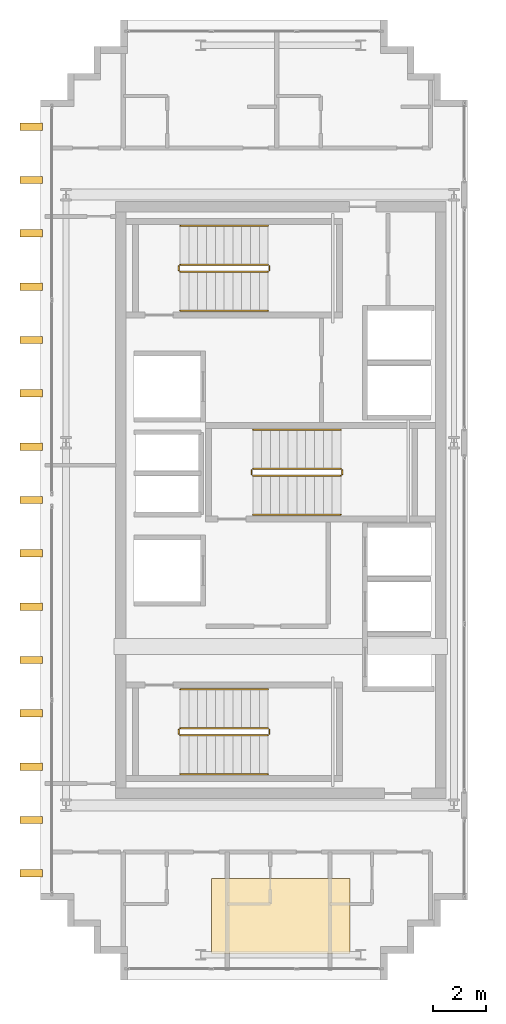
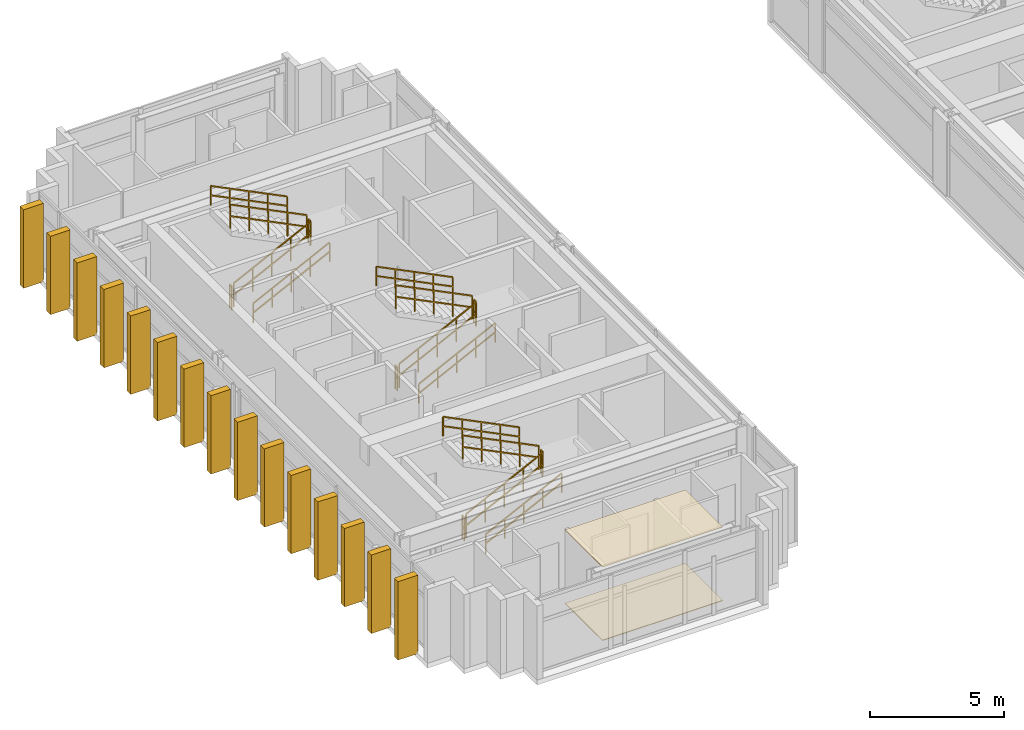
# One storey, part 24 of 25: 18 railings, 15 shading devices, 2 coverings.
"""IFC4 building model written with IfcOpenShell, lengths in metres."""

from ifc_helpers import new_model, si_unit, direction, frame, origin, origin_2d, place, context, subcontext, project, spatial, polyline, rectangle, outline, extrude, source, transform, mapped, material, layer, layer_set, type_object, element, save


model = new_model("IFC4")

# Units and contexts
model_context = context("Model", 3, precision=1e-05, world=origin(), true_north=direction((0.0, 1.0)))
body_context = subcontext(model_context, "Body", "Model", "MODEL_VIEW")
ifc_project = project(units=[si_unit("LENGTHUNIT", "METRE"), si_unit("AREAUNIT", "SQUARE_METRE"), si_unit("VOLUMEUNIT", "CUBIC_METRE"), si_unit("PLANEANGLEUNIT", "RADIAN"), si_unit("MASSUNIT", "GRAM", prefix="KILO")], contexts=[model_context])

# Site, building, storey
site_placement = place(None, origin())
site = spatial("IfcSite", under=ifc_project, at=site_placement, CompositionType="ELEMENT")
building_placement = place(site_placement, origin())
building = spatial("IfcBuilding", under=site, at=building_placement, Name="Ocotamira Hotel", CompositionType="ELEMENT")
storey_placement = place(building_placement, frame((0.0, 0.0, 254.39990234375)))
storey = spatial("IfcBuildingStorey", under=building, at=storey_placement, Name="L64", CompositionType="ELEMENT", Elevation=254.39990234375)

# Coverings
ifc_material_1 = material(Name="Perforated acoustic gypsum ceiling board", Category="gypsum")
ifc_layer_1 = layer(ifc_material_1, 0.02490234375)
ifc_layer_set_1 = layer_set([ifc_layer_1], Name="Perforated acoustic gypsum ceiling board")
covering_type_1 = type_object("IfcCoveringType", Name="COV-CEIL-25", PredefinedType="CEILING", material=ifc_layer_set_1)
covering_1_placement = place(storey_placement, frame((0.0, 0.0, 3.35498046875)))
element("IfcCovering", 1, at=covering_1_placement, inside=storey, type_object=covering_type_1, Name="L64 Acoustic Ceiling", PredefinedType="CEILING", context=body_context, shape_type="SweptSolid", body=[
    extrude(outline(polyline([(14.39990234375, 9.0), (19.60009765625, 9.0), (19.60009765625, 11.800048828125), (14.39990234375, 11.800048828125), (14.39990234375, 9.0)])), origin(), (0.0, 0.0, 1.0), 0.025146484375),
])
ifc_material_2 = material(Name="Honed desert travertine stone flooring", Category="masonry")
ifc_layer_2 = layer(ifc_material_2, 0.030029296875)
ifc_layer_set_2 = layer_set([ifc_layer_2], Name="Honed desert travertine stone flooring")
covering_type_2 = type_object("IfcCoveringType", Name="COV-FLOR-30", PredefinedType="FLOORING", material=ifc_layer_set_2)
covering_2_placement = place(storey_placement, origin())
element("IfcCovering", 2, at=covering_2_placement, inside=storey, type_object=covering_type_2, Name="L64 Honed Stone Floor Finish", PredefinedType="FLOORING", context=body_context, shape_type="SweptSolid", body=[
    extrude(outline(polyline([(14.39990234375, 9.0), (19.60009765625, 9.0), (19.60009765625, 11.800048828125), (14.39990234375, 11.800048828125), (14.39990234375, 9.0)])), origin(), (0.0, 0.0, 1.0), 0.030029296875),
])

# Railings
ifc_material_3 = material(Name="Brushed stainless steel handrail", Category="steel")
railing_type_1 = type_object("IfcRailingType", Name="RL-HAND-900", PredefinedType="HANDRAIL", material=ifc_material_3)
railing_1_placement = place(storey_placement, frame((13.22998046875, 15.719970703125, 0.327392578125)))
element("IfcRailing", 3, at=railing_1_placement, inside=storey, type_object=railing_type_1, Name="L64 ST-1 stair handrail 1", PredefinedType="HANDRAIL", context=body_context, shape_type="SweptSolid", body=[
    extrude(rectangle(XDim=0.048095703125, YDim=0.048095703125, at=origin_2d()), frame((0.0, 0.0, 0.8759765625), z_axis=(0.895920123917, 0.0, 0.444215186098), x_axis=(0.0, 1.0, 0.0)), (0.0, 0.0, 1.0), 3.683349609375),
    extrude(rectangle(XDim=0.048095703125, YDim=0.048095703125, at=origin_2d()), frame((0.0, 0.0, 0.449951171875), z_axis=(0.895920123917, 0.0, 0.444215186098), x_axis=(0.0, 1.0, 0.0)), (0.0, 0.0, 1.0), 3.683349609375),
    extrude(rectangle(XDim=0.0419921875, YDim=0.0419921875, at=origin_2d()), origin(), (0.0, 0.0, 1.0), 0.851806640625),
    extrude(rectangle(XDim=0.0419921875, YDim=0.0419921875, at=origin_2d()), frame((0.824951171875, 0.0, 0.4091796875)), (0.0, 0.0, 1.0), 0.851806640625),
    extrude(rectangle(XDim=0.0419921875, YDim=0.0419921875, at=origin_2d()), frame((1.64990234375, 0.0, 0.818115234375)), (0.0, 0.0, 1.0), 0.851806640625),
    extrude(rectangle(XDim=0.0419921875, YDim=0.0419921875, at=origin_2d()), frame((2.47509765625, 0.0, 1.22705078125)), (0.0, 0.0, 1.0), 0.851806640625),
    extrude(rectangle(XDim=0.0419921875, YDim=0.0419921875, at=origin_2d()), frame((3.300048828125, 0.0, 1.63623046875)), (0.0, 0.0, 1.0), 0.851806640625),
])
railing_2_placement = place(storey_placement, frame((16.530029296875, 18.89990234375, 2.12744140625)))
element("IfcRailing", 4, at=railing_2_placement, inside=storey, type_object=railing_type_1, Name="L64 ST-1 stair handrail 2", PredefinedType="HANDRAIL", context=body_context, shape_type="SweptSolid", body=[
    extrude(rectangle(XDim=0.048095703125, YDim=0.048095703125, at=origin_2d()), frame((0.0, 0.0, 0.8759765625), z_axis=(-0.895920123917, 0.0, 0.444215186098), x_axis=(0.0, -1.0, 0.0)), (0.0, 0.0, 1.0), 3.683349609375),
    extrude(rectangle(XDim=0.048095703125, YDim=0.048095703125, at=origin_2d()), frame((0.0, 0.0, 0.449951171875), z_axis=(-0.895920123917, 0.0, 0.444215186098), x_axis=(0.0, -1.0, 0.0)), (0.0, 0.0, 1.0), 3.683349609375),
    extrude(rectangle(XDim=0.0419921875, YDim=0.0419921875, at=origin_2d()), origin(), (0.0, 0.0, 1.0), 0.851806640625),
    extrude(rectangle(XDim=0.0419921875, YDim=0.0419921875, at=origin_2d()), frame((-0.824951171875, 0.0, 0.4091796875)), (0.0, 0.0, 1.0), 0.851806640625),
    extrude(rectangle(XDim=0.0419921875, YDim=0.0419921875, at=origin_2d()), frame((-1.64990234375, 0.0, 0.818115234375)), (0.0, 0.0, 1.0), 0.851806640625),
    extrude(rectangle(XDim=0.0419921875, YDim=0.0419921875, at=origin_2d()), frame((-2.47509765625, 0.0, 1.22705078125)), (0.0, 0.0, 1.0), 0.851806640625),
    extrude(rectangle(XDim=0.0419921875, YDim=0.0419921875, at=origin_2d()), frame((-3.300048828125, 0.0, 1.63623046875)), (0.0, 0.0, 1.0), 0.851806640625),
])
railing_3_placement = place(storey_placement, frame((13.22998046875, 33.10009765625, 0.327392578125)))
element("IfcRailing", 5, at=railing_3_placement, inside=storey, type_object=railing_type_1, Name="L64 ST-2 stair handrail 1", PredefinedType="HANDRAIL", context=body_context, shape_type="SweptSolid", body=[
    extrude(rectangle(XDim=0.048095703125, YDim=0.048095703125, at=origin_2d()), frame((0.0, 0.0, 0.8759765625), z_axis=(0.895920123917, 0.0, 0.444215186098), x_axis=(0.0, 1.0, 0.0)), (0.0, 0.0, 1.0), 3.683349609375),
    extrude(rectangle(XDim=0.048095703125, YDim=0.048095703125, at=origin_2d()), frame((0.0, 0.0, 0.449951171875), z_axis=(0.895920123917, 0.0, 0.444215186098), x_axis=(0.0, 1.0, 0.0)), (0.0, 0.0, 1.0), 3.683349609375),
    extrude(rectangle(XDim=0.0419921875, YDim=0.0419921875, at=origin_2d()), origin(), (0.0, 0.0, 1.0), 0.851806640625),
    extrude(rectangle(XDim=0.0419921875, YDim=0.0419921875, at=origin_2d()), frame((0.824951171875, 0.0, 0.4091796875)), (0.0, 0.0, 1.0), 0.851806640625),
    extrude(rectangle(XDim=0.0419921875, YDim=0.0419921875, at=origin_2d()), frame((1.64990234375, 0.0, 0.818115234375)), (0.0, 0.0, 1.0), 0.851806640625),
    extrude(rectangle(XDim=0.0419921875, YDim=0.0419921875, at=origin_2d()), frame((2.47509765625, 0.0, 1.22705078125)), (0.0, 0.0, 1.0), 0.851806640625),
    extrude(rectangle(XDim=0.0419921875, YDim=0.0419921875, at=origin_2d()), frame((3.300048828125, 0.0, 1.63623046875)), (0.0, 0.0, 1.0), 0.851806640625),
])
railing_4_placement = place(storey_placement, frame((16.530029296875, 36.280029296875, 2.12744140625)))
element("IfcRailing", 6, at=railing_4_placement, inside=storey, type_object=railing_type_1, Name="L64 ST-2 stair handrail 2", PredefinedType="HANDRAIL", context=body_context, shape_type="SweptSolid", body=[
    extrude(rectangle(XDim=0.048095703125, YDim=0.048095703125, at=origin_2d()), frame((0.0, 0.0, 0.8759765625), z_axis=(-0.895920123917, 0.0, 0.444215186098), x_axis=(0.0, -1.0, 0.0)), (0.0, 0.0, 1.0), 3.683349609375),
    extrude(rectangle(XDim=0.048095703125, YDim=0.048095703125, at=origin_2d()), frame((0.0, 0.0, 0.449951171875), z_axis=(-0.895920123917, 0.0, 0.444215186098), x_axis=(0.0, -1.0, 0.0)), (0.0, 0.0, 1.0), 3.683349609375),
    extrude(rectangle(XDim=0.0419921875, YDim=0.0419921875, at=origin_2d()), origin(), (0.0, 0.0, 1.0), 0.851806640625),
    extrude(rectangle(XDim=0.0419921875, YDim=0.0419921875, at=origin_2d()), frame((-0.824951171875, 0.0, 0.4091796875)), (0.0, 0.0, 1.0), 0.851806640625),
    extrude(rectangle(XDim=0.0419921875, YDim=0.0419921875, at=origin_2d()), frame((-1.64990234375, 0.0, 0.818115234375)), (0.0, 0.0, 1.0), 0.851806640625),
    extrude(rectangle(XDim=0.0419921875, YDim=0.0419921875, at=origin_2d()), frame((-2.47509765625, 0.0, 1.22705078125)), (0.0, 0.0, 1.0), 0.851806640625),
    extrude(rectangle(XDim=0.0419921875, YDim=0.0419921875, at=origin_2d()), frame((-3.300048828125, 0.0, 1.63623046875)), (0.0, 0.0, 1.0), 0.851806640625),
])
railing_5_placement = place(storey_placement, frame((15.9599609375, 25.449951171875, 0.327392578125)))
element("IfcRailing", 7, at=railing_5_placement, inside=storey, type_object=railing_type_1, Name="L64 ST-3 stair handrail 1", PredefinedType="HANDRAIL", context=body_context, shape_type="SweptSolid", body=[
    extrude(rectangle(XDim=0.048095703125, YDim=0.048095703125, at=origin_2d()), frame((0.0, 0.0, 0.8759765625), z_axis=(0.895920123917, 0.0, 0.444215186098), x_axis=(0.0, 1.0, 0.0)), (0.0, 0.0, 1.0), 3.683349609375),
    extrude(rectangle(XDim=0.048095703125, YDim=0.048095703125, at=origin_2d()), frame((0.0, 0.0, 0.449951171875), z_axis=(0.895920123917, 0.0, 0.444215186098), x_axis=(0.0, 1.0, 0.0)), (0.0, 0.0, 1.0), 3.683349609375),
    extrude(rectangle(XDim=0.0419921875, YDim=0.0419921875, at=origin_2d()), origin(), (0.0, 0.0, 1.0), 0.851806640625),
    extrude(rectangle(XDim=0.0419921875, YDim=0.0419921875, at=origin_2d()), frame((0.824951171875, 0.0, 0.4091796875)), (0.0, 0.0, 1.0), 0.851806640625),
    extrude(rectangle(XDim=0.0419921875, YDim=0.0419921875, at=origin_2d()), frame((1.64990234375, 0.0, 0.818115234375)), (0.0, 0.0, 1.0), 0.851806640625),
    extrude(rectangle(XDim=0.0419921875, YDim=0.0419921875, at=origin_2d()), frame((2.47509765625, 0.0, 1.22705078125)), (0.0, 0.0, 1.0), 0.851806640625),
    extrude(rectangle(XDim=0.0419921875, YDim=0.0419921875, at=origin_2d()), frame((3.300048828125, 0.0, 1.63623046875)), (0.0, 0.0, 1.0), 0.851806640625),
])
railing_6_placement = place(storey_placement, frame((19.260009765625, 28.6298828125, 2.12744140625)))
element("IfcRailing", 8, at=railing_6_placement, inside=storey, type_object=railing_type_1, Name="L64 ST-3 stair handrail 2", PredefinedType="HANDRAIL", context=body_context, shape_type="SweptSolid", body=[
    extrude(rectangle(XDim=0.048095703125, YDim=0.048095703125, at=origin_2d()), frame((0.0, 0.0, 0.8759765625), z_axis=(-0.895920123917, 0.0, 0.444215186098), x_axis=(0.0, -1.0, 0.0)), (0.0, 0.0, 1.0), 3.683349609375),
    extrude(rectangle(XDim=0.048095703125, YDim=0.048095703125, at=origin_2d()), frame((0.0, 0.0, 0.449951171875), z_axis=(-0.895920123917, 0.0, 0.444215186098), x_axis=(0.0, -1.0, 0.0)), (0.0, 0.0, 1.0), 3.683349609375),
    extrude(rectangle(XDim=0.0419921875, YDim=0.0419921875, at=origin_2d()), origin(), (0.0, 0.0, 1.0), 0.851806640625),
    extrude(rectangle(XDim=0.0419921875, YDim=0.0419921875, at=origin_2d()), frame((-0.824951171875, 0.0, 0.4091796875)), (0.0, 0.0, 1.0), 0.851806640625),
    extrude(rectangle(XDim=0.0419921875, YDim=0.0419921875, at=origin_2d()), frame((-1.64990234375, 0.0, 0.818115234375)), (0.0, 0.0, 1.0), 0.851806640625),
    extrude(rectangle(XDim=0.0419921875, YDim=0.0419921875, at=origin_2d()), frame((-2.47509765625, 0.0, 1.22705078125)), (0.0, 0.0, 1.0), 0.851806640625),
    extrude(rectangle(XDim=0.0419921875, YDim=0.0419921875, at=origin_2d()), frame((-3.300048828125, 0.0, 1.63623046875)), (0.0, 0.0, 1.0), 0.851806640625),
])
ifc_material_4 = material(Name="Painted steel stair guardrail", Category="steel")
railing_type_2 = type_object("IfcRailingType", Name="RL-STAIR-1100", PredefinedType="GUARDRAIL", material=ifc_material_4)
railing_7_placement = place(storey_placement, frame((13.22998046875, 17.179931640625, 0.163818359375)))
element("IfcRailing", 9, at=railing_7_placement, inside=storey, type_object=railing_type_2, Name="L64 ST-1 stair guard 1", PredefinedType="GUARDRAIL", context=body_context, shape_type="SweptSolid", body=[
    extrude(rectangle(XDim=0.048095703125, YDim=0.048095703125, at=origin_2d()), frame((0.0, 0.0, 1.076171875), z_axis=(0.895920123917, 0.0, 0.444215186098), x_axis=(0.0, 1.0, 0.0)), (0.0, 0.0, 1.0), 3.683349609375),
    extrude(rectangle(XDim=0.048095703125, YDim=0.048095703125, at=origin_2d()), frame((0.0, 0.0, 0.550048828125), z_axis=(0.895920123917, 0.0, 0.444215186098), x_axis=(0.0, 1.0, 0.0)), (0.0, 0.0, 1.0), 3.683349609375),
    extrude(rectangle(XDim=0.0419921875, YDim=0.0419921875, at=origin_2d()), origin(), (0.0, 0.0, 1.0), 1.052001953125),
    extrude(rectangle(XDim=0.0419921875, YDim=0.0419921875, at=origin_2d()), frame((0.824951171875, 0.0, 0.4091796875)), (0.0, 0.0, 1.0), 1.052001953125),
    extrude(rectangle(XDim=0.0419921875, YDim=0.0419921875, at=origin_2d()), frame((1.64990234375, 0.0, 0.818115234375)), (0.0, 0.0, 1.0), 1.052001953125),
    extrude(rectangle(XDim=0.0419921875, YDim=0.0419921875, at=origin_2d()), frame((2.47509765625, 0.0, 1.22705078125)), (0.0, 0.0, 1.0), 1.052001953125),
    extrude(rectangle(XDim=0.0419921875, YDim=0.0419921875, at=origin_2d()), frame((3.300048828125, 0.0, 1.63623046875)), (0.0, 0.0, 1.0), 1.052001953125),
])
railing_8_placement = place(storey_placement, frame((16.580078125, 17.22998046875, 1.800048828125)))
element("IfcRailing", 10, at=railing_8_placement, inside=storey, type_object=railing_type_2, Name="L64 ST-1 stair guard 2", PredefinedType="GUARDRAIL", context=body_context, shape_type="SweptSolid", body=[
    extrude(rectangle(XDim=0.048095703125, YDim=0.048095703125, at=origin_2d()), frame((0.0, 0.0, 1.076171875), z_axis=(0.0, 1.0, 0.0), x_axis=(-1.0, 0.0, 0.0)), (0.0, 0.0, 1.0), 0.159912109375),
    extrude(rectangle(XDim=0.048095703125, YDim=0.048095703125, at=origin_2d()), frame((0.0, 0.0, 0.550048828125), z_axis=(0.0, 1.0, 0.0), x_axis=(-1.0, 0.0, 0.0)), (0.0, 0.0, 1.0), 0.159912109375),
    extrude(rectangle(XDim=0.0419921875, YDim=0.0419921875, at=origin_2d()), origin(), (0.0, 0.0, 1.0), 1.052001953125),
    extrude(rectangle(XDim=0.0419921875, YDim=0.0419921875, at=origin_2d()), frame((0.0, 0.159912109375, 0.0)), (0.0, 0.0, 1.0), 1.052001953125),
])
railing_9_placement = place(storey_placement, frame((16.530029296875, 17.43994140625, 1.963623046875)))
element("IfcRailing", 11, at=railing_9_placement, inside=storey, type_object=railing_type_2, Name="L64 ST-1 stair guard 3", PredefinedType="GUARDRAIL", context=body_context, shape_type="SweptSolid", body=[
    extrude(rectangle(XDim=0.048095703125, YDim=0.048095703125, at=origin_2d()), frame((0.0, 0.0, 1.076171875), z_axis=(-0.895893744519, 0.0, 0.4442683857), x_axis=(0.0, -1.0, 0.0)), (0.0, 0.0, 1.0), 3.68359375),
    extrude(rectangle(XDim=0.048095703125, YDim=0.048095703125, at=origin_2d()), frame((0.0, 0.0, 0.550048828125), z_axis=(-0.895893744519, 0.0, 0.4442683857), x_axis=(0.0, -1.0, 0.0)), (0.0, 0.0, 1.0), 3.68359375),
    extrude(rectangle(XDim=0.0419921875, YDim=0.0419921875, at=origin_2d()), origin(), (0.0, 0.0, 1.0), 1.052001953125),
    extrude(rectangle(XDim=0.0419921875, YDim=0.0419921875, at=origin_2d()), frame((-0.824951171875, 0.0, 0.4091796875)), (0.0, 0.0, 1.0), 1.052001953125),
    extrude(rectangle(XDim=0.0419921875, YDim=0.0419921875, at=origin_2d()), frame((-1.64990234375, 0.0, 0.818359375)), (0.0, 0.0, 1.0), 1.052001953125),
    extrude(rectangle(XDim=0.0419921875, YDim=0.0419921875, at=origin_2d()), frame((-2.47509765625, 0.0, 1.227294921875)), (0.0, 0.0, 1.0), 1.052001953125),
    extrude(rectangle(XDim=0.0419921875, YDim=0.0419921875, at=origin_2d()), frame((-3.300048828125, 0.0, 1.636474609375)), (0.0, 0.0, 1.0), 1.052001953125),
])
railing_10_placement = place(storey_placement, frame((13.179931640625, 17.22998046875, 0.0)))
element("IfcRailing", 12, at=railing_10_placement, inside=storey, type_object=railing_type_2, Name="L64 ST-1 stair guard 4", PredefinedType="GUARDRAIL", context=body_context, shape_type="SweptSolid", body=[
    extrude(rectangle(XDim=0.048095703125, YDim=0.048095703125, at=origin_2d()), frame((0.0, 0.0, 1.076171875), z_axis=(0.0, 1.0, 0.0), x_axis=(-1.0, 0.0, 0.0)), (0.0, 0.0, 1.0), 0.159912109375),
    extrude(rectangle(XDim=0.048095703125, YDim=0.048095703125, at=origin_2d()), frame((0.0, 0.0, 0.550048828125), z_axis=(0.0, 1.0, 0.0), x_axis=(-1.0, 0.0, 0.0)), (0.0, 0.0, 1.0), 0.159912109375),
    extrude(rectangle(XDim=0.0419921875, YDim=0.0419921875, at=origin_2d()), origin(), (0.0, 0.0, 1.0), 1.052001953125),
    extrude(rectangle(XDim=0.0419921875, YDim=0.0419921875, at=origin_2d()), frame((0.0, 0.159912109375, 0.0)), (0.0, 0.0, 1.0), 1.052001953125),
])
railing_11_placement = place(storey_placement, frame((13.22998046875, 34.56005859375, 0.163818359375)))
element("IfcRailing", 13, at=railing_11_placement, inside=storey, type_object=railing_type_2, Name="L64 ST-2 stair guard 1", PredefinedType="GUARDRAIL", context=body_context, shape_type="SweptSolid", body=[
    extrude(rectangle(XDim=0.048095703125, YDim=0.048095703125, at=origin_2d()), frame((0.0, 0.0, 1.076171875), z_axis=(0.895920123917, 0.0, 0.444215186098), x_axis=(0.0, 1.0, 0.0)), (0.0, 0.0, 1.0), 3.683349609375),
    extrude(rectangle(XDim=0.048095703125, YDim=0.048095703125, at=origin_2d()), frame((0.0, 0.0, 0.550048828125), z_axis=(0.895920123917, 0.0, 0.444215186098), x_axis=(0.0, 1.0, 0.0)), (0.0, 0.0, 1.0), 3.683349609375),
    extrude(rectangle(XDim=0.0419921875, YDim=0.0419921875, at=origin_2d()), origin(), (0.0, 0.0, 1.0), 1.052001953125),
    extrude(rectangle(XDim=0.0419921875, YDim=0.0419921875, at=origin_2d()), frame((0.824951171875, 0.0, 0.4091796875)), (0.0, 0.0, 1.0), 1.052001953125),
    extrude(rectangle(XDim=0.0419921875, YDim=0.0419921875, at=origin_2d()), frame((1.64990234375, 0.0, 0.818115234375)), (0.0, 0.0, 1.0), 1.052001953125),
    extrude(rectangle(XDim=0.0419921875, YDim=0.0419921875, at=origin_2d()), frame((2.47509765625, 0.0, 1.22705078125)), (0.0, 0.0, 1.0), 1.052001953125),
    extrude(rectangle(XDim=0.0419921875, YDim=0.0419921875, at=origin_2d()), frame((3.300048828125, 0.0, 1.63623046875)), (0.0, 0.0, 1.0), 1.052001953125),
])
railing_12_placement = place(storey_placement, frame((16.580078125, 34.610107421875, 1.800048828125)))
element("IfcRailing", 14, at=railing_12_placement, inside=storey, type_object=railing_type_2, Name="L64 ST-2 stair guard 2", PredefinedType="GUARDRAIL", context=body_context, shape_type="SweptSolid", body=[
    extrude(rectangle(XDim=0.048095703125, YDim=0.048095703125, at=origin_2d()), frame((0.0, 0.0, 1.076171875), z_axis=(0.0, 1.0, 0.0), x_axis=(-1.0, 0.0, 0.0)), (0.0, 0.0, 1.0), 0.159912109375),
    extrude(rectangle(XDim=0.048095703125, YDim=0.048095703125, at=origin_2d()), frame((0.0, 0.0, 0.550048828125), z_axis=(0.0, 1.0, 0.0), x_axis=(-1.0, 0.0, 0.0)), (0.0, 0.0, 1.0), 0.159912109375),
    extrude(rectangle(XDim=0.0419921875, YDim=0.0419921875, at=origin_2d()), origin(), (0.0, 0.0, 1.0), 1.052001953125),
    extrude(rectangle(XDim=0.0419921875, YDim=0.0419921875, at=origin_2d()), frame((0.0, 0.159912109375, 0.0)), (0.0, 0.0, 1.0), 1.052001953125),
])
railing_13_placement = place(storey_placement, frame((16.530029296875, 34.820068359375, 1.963623046875)))
element("IfcRailing", 15, at=railing_13_placement, inside=storey, type_object=railing_type_2, Name="L64 ST-2 stair guard 3", PredefinedType="GUARDRAIL", context=body_context, shape_type="SweptSolid", body=[
    extrude(rectangle(XDim=0.048095703125, YDim=0.048095703125, at=origin_2d()), frame((0.0, 0.0, 1.076171875), z_axis=(-0.895893744519, 0.0, 0.4442683857), x_axis=(0.0, -1.0, 0.0)), (0.0, 0.0, 1.0), 3.68359375),
    extrude(rectangle(XDim=0.048095703125, YDim=0.048095703125, at=origin_2d()), frame((0.0, 0.0, 0.550048828125), z_axis=(-0.895893744519, 0.0, 0.4442683857), x_axis=(0.0, -1.0, 0.0)), (0.0, 0.0, 1.0), 3.68359375),
    extrude(rectangle(XDim=0.0419921875, YDim=0.0419921875, at=origin_2d()), origin(), (0.0, 0.0, 1.0), 1.052001953125),
    extrude(rectangle(XDim=0.0419921875, YDim=0.0419921875, at=origin_2d()), frame((-0.824951171875, 0.0, 0.4091796875)), (0.0, 0.0, 1.0), 1.052001953125),
    extrude(rectangle(XDim=0.0419921875, YDim=0.0419921875, at=origin_2d()), frame((-1.64990234375, 0.0, 0.818359375)), (0.0, 0.0, 1.0), 1.052001953125),
    extrude(rectangle(XDim=0.0419921875, YDim=0.0419921875, at=origin_2d()), frame((-2.47509765625, 0.0, 1.227294921875)), (0.0, 0.0, 1.0), 1.052001953125),
    extrude(rectangle(XDim=0.0419921875, YDim=0.0419921875, at=origin_2d()), frame((-3.300048828125, 0.0, 1.636474609375)), (0.0, 0.0, 1.0), 1.052001953125),
])
railing_14_placement = place(storey_placement, frame((13.179931640625, 34.610107421875, 0.0)))
element("IfcRailing", 16, at=railing_14_placement, inside=storey, type_object=railing_type_2, Name="L64 ST-2 stair guard 4", PredefinedType="GUARDRAIL", context=body_context, shape_type="SweptSolid", body=[
    extrude(rectangle(XDim=0.048095703125, YDim=0.048095703125, at=origin_2d()), frame((0.0, 0.0, 1.076171875), z_axis=(0.0, 1.0, 0.0), x_axis=(-1.0, 0.0, 0.0)), (0.0, 0.0, 1.0), 0.159912109375),
    extrude(rectangle(XDim=0.048095703125, YDim=0.048095703125, at=origin_2d()), frame((0.0, 0.0, 0.550048828125), z_axis=(0.0, 1.0, 0.0), x_axis=(-1.0, 0.0, 0.0)), (0.0, 0.0, 1.0), 0.159912109375),
    extrude(rectangle(XDim=0.0419921875, YDim=0.0419921875, at=origin_2d()), origin(), (0.0, 0.0, 1.0), 1.052001953125),
    extrude(rectangle(XDim=0.0419921875, YDim=0.0419921875, at=origin_2d()), frame((0.0, 0.159912109375, 0.0)), (0.0, 0.0, 1.0), 1.052001953125),
])
railing_15_placement = place(storey_placement, frame((15.9599609375, 26.909912109375, 0.163818359375)))
element("IfcRailing", 17, at=railing_15_placement, inside=storey, type_object=railing_type_2, Name="L64 ST-3 stair guard 1", PredefinedType="GUARDRAIL", context=body_context, shape_type="SweptSolid", body=[
    extrude(rectangle(XDim=0.048095703125, YDim=0.048095703125, at=origin_2d()), frame((0.0, 0.0, 1.076171875), z_axis=(0.895920123917, 0.0, 0.444215186098), x_axis=(0.0, 1.0, 0.0)), (0.0, 0.0, 1.0), 3.683349609375),
    extrude(rectangle(XDim=0.048095703125, YDim=0.048095703125, at=origin_2d()), frame((0.0, 0.0, 0.550048828125), z_axis=(0.895920123917, 0.0, 0.444215186098), x_axis=(0.0, 1.0, 0.0)), (0.0, 0.0, 1.0), 3.683349609375),
    extrude(rectangle(XDim=0.0419921875, YDim=0.0419921875, at=origin_2d()), origin(), (0.0, 0.0, 1.0), 1.052001953125),
    extrude(rectangle(XDim=0.0419921875, YDim=0.0419921875, at=origin_2d()), frame((0.824951171875, 0.0, 0.4091796875)), (0.0, 0.0, 1.0), 1.052001953125),
    extrude(rectangle(XDim=0.0419921875, YDim=0.0419921875, at=origin_2d()), frame((1.64990234375, 0.0, 0.818115234375)), (0.0, 0.0, 1.0), 1.052001953125),
    extrude(rectangle(XDim=0.0419921875, YDim=0.0419921875, at=origin_2d()), frame((2.47509765625, 0.0, 1.22705078125)), (0.0, 0.0, 1.0), 1.052001953125),
    extrude(rectangle(XDim=0.0419921875, YDim=0.0419921875, at=origin_2d()), frame((3.300048828125, 0.0, 1.63623046875)), (0.0, 0.0, 1.0), 1.052001953125),
])
railing_16_placement = place(storey_placement, frame((19.31005859375, 26.9599609375, 1.800048828125)))
element("IfcRailing", 18, at=railing_16_placement, inside=storey, type_object=railing_type_2, Name="L64 ST-3 stair guard 2", PredefinedType="GUARDRAIL", context=body_context, shape_type="SweptSolid", body=[
    extrude(rectangle(XDim=0.048095703125, YDim=0.048095703125, at=origin_2d()), frame((0.0, 0.0, 1.076171875), z_axis=(0.0, 1.0, 0.0), x_axis=(-1.0, 0.0, 0.0)), (0.0, 0.0, 1.0), 0.16015625),
    extrude(rectangle(XDim=0.048095703125, YDim=0.048095703125, at=origin_2d()), frame((0.0, 0.0, 0.550048828125), z_axis=(0.0, 1.0, 0.0), x_axis=(-1.0, 0.0, 0.0)), (0.0, 0.0, 1.0), 0.16015625),
    extrude(rectangle(XDim=0.0419921875, YDim=0.0419921875, at=origin_2d()), origin(), (0.0, 0.0, 1.0), 1.052001953125),
    extrude(rectangle(XDim=0.0419921875, YDim=0.0419921875, at=origin_2d()), frame((0.0, 0.16015625, 0.0)), (0.0, 0.0, 1.0), 1.052001953125),
])
railing_17_placement = place(storey_placement, frame((19.260009765625, 27.169921875, 1.963623046875)))
element("IfcRailing", 19, at=railing_17_placement, inside=storey, type_object=railing_type_2, Name="L64 ST-3 stair guard 3", PredefinedType="GUARDRAIL", context=body_context, shape_type="SweptSolid", body=[
    extrude(rectangle(XDim=0.048095703125, YDim=0.048095703125, at=origin_2d()), frame((0.0, 0.0, 1.076171875), z_axis=(-0.895893744519, 0.0, 0.4442683857), x_axis=(0.0, -1.0, 0.0)), (0.0, 0.0, 1.0), 3.68359375),
    extrude(rectangle(XDim=0.048095703125, YDim=0.048095703125, at=origin_2d()), frame((0.0, 0.0, 0.550048828125), z_axis=(-0.895893744519, 0.0, 0.4442683857), x_axis=(0.0, -1.0, 0.0)), (0.0, 0.0, 1.0), 3.68359375),
    extrude(rectangle(XDim=0.0419921875, YDim=0.0419921875, at=origin_2d()), origin(), (0.0, 0.0, 1.0), 1.052001953125),
    extrude(rectangle(XDim=0.0419921875, YDim=0.0419921875, at=origin_2d()), frame((-0.824951171875, 0.0, 0.4091796875)), (0.0, 0.0, 1.0), 1.052001953125),
    extrude(rectangle(XDim=0.0419921875, YDim=0.0419921875, at=origin_2d()), frame((-1.64990234375, 0.0, 0.818359375)), (0.0, 0.0, 1.0), 1.052001953125),
    extrude(rectangle(XDim=0.0419921875, YDim=0.0419921875, at=origin_2d()), frame((-2.47509765625, 0.0, 1.227294921875)), (0.0, 0.0, 1.0), 1.052001953125),
    extrude(rectangle(XDim=0.0419921875, YDim=0.0419921875, at=origin_2d()), frame((-3.300048828125, 0.0, 1.636474609375)), (0.0, 0.0, 1.0), 1.052001953125),
])
railing_18_placement = place(storey_placement, frame((15.909912109375, 26.9599609375, 0.0)))
element("IfcRailing", 20, at=railing_18_placement, inside=storey, type_object=railing_type_2, Name="L64 ST-3 stair guard 4", PredefinedType="GUARDRAIL", context=body_context, shape_type="SweptSolid", body=[
    extrude(rectangle(XDim=0.048095703125, YDim=0.048095703125, at=origin_2d()), frame((0.0, 0.0, 1.076171875), z_axis=(0.0, 1.0, 0.0), x_axis=(-1.0, 0.0, 0.0)), (0.0, 0.0, 1.0), 0.16015625),
    extrude(rectangle(XDim=0.048095703125, YDim=0.048095703125, at=origin_2d()), frame((0.0, 0.0, 0.550048828125), z_axis=(0.0, 1.0, 0.0), x_axis=(-1.0, 0.0, 0.0)), (0.0, 0.0, 1.0), 0.16015625),
    extrude(rectangle(XDim=0.0419921875, YDim=0.0419921875, at=origin_2d()), origin(), (0.0, 0.0, 1.0), 1.052001953125),
    extrude(rectangle(XDim=0.0419921875, YDim=0.0419921875, at=origin_2d()), frame((0.0, 0.16015625, 0.0)), (0.0, 0.0, 1.0), 1.052001953125),
])

# Shading devices
ifc_material_5 = material(Name="Pale-metal anodised aluminium architectural fin", Category="aluminium")
shading_device_type = type_object("IfcShadingDeviceType", Name="SHD-PIER-850", PredefinedType="USERDEFINED", material=ifc_material_5)
shared_shape = source(origin(), body_context, "Body", "SweptSolid", [
    extrude(rectangle(XDim=0.85009765625, YDim=0.280029296875, at=origin_2d()), origin(), (0.0, 0.0, 1.0), 3.580078125),
])
for number, where, z_axis, x_axis, name in (
    (21, (7.64990234375, 12.0, -0.099853515625), (0.0, 0.0, 1.0), (1.0, 0.0, 0.0), "L64 Vertical Pale-Metal Pier W Y12"),
    (22, (7.64990234375, 14.0, -0.099853515625), (0.0, 0.0, 1.0), (1.0, 0.0, 0.0), "L64 Vertical Pale-Metal Pier W Y14"),
    (23, (7.64990234375, 16.0, -0.099853515625), (0.0, 0.0, 1.0), (1.0, 0.0, 0.0), "L64 Vertical Pale-Metal Pier W Y16"),
    (24, (7.64990234375, 18.0, -0.099853515625), (0.0, 0.0, 1.0), (1.0, 0.0, 0.0), "L64 Vertical Pale-Metal Pier W Y18"),
    (25, (7.64990234375, 20.0, -0.099853515625), (0.0, 0.0, 1.0), (1.0, 0.0, 0.0), "L64 Vertical Pale-Metal Pier W Y20"),
    (26, (7.64990234375, 22.0, -0.099853515625), (0.0, 0.0, 1.0), (1.0, 0.0, 0.0), "L64 Vertical Pale-Metal Pier W Y22"),
    (27, (7.64990234375, 24.0, -0.099853515625), (0.0, 0.0, 1.0), (1.0, 0.0, 0.0), "L64 Vertical Pale-Metal Pier W Y24"),
    (28, (7.64990234375, 26.0, -0.099853515625), (0.0, 0.0, 1.0), (1.0, 0.0, 0.0), "L64 Vertical Pale-Metal Pier W Y26"),
    (29, (7.64990234375, 28.0, -0.099853515625), (0.0, 0.0, 1.0), (1.0, 0.0, 0.0), "L64 Vertical Pale-Metal Pier W Y28"),
    (30, (7.64990234375, 30.0, -0.099853515625), (0.0, 0.0, 1.0), (1.0, 0.0, 0.0), "L64 Vertical Pale-Metal Pier W Y30"),
    (31, (7.64990234375, 32.0, -0.099853515625), (0.0, 0.0, 1.0), (1.0, 0.0, 0.0), "L64 Vertical Pale-Metal Pier W Y32"),
    (32, (7.64990234375, 34.0, -0.099853515625), (0.0, 0.0, 1.0), (1.0, 0.0, 0.0), "L64 Vertical Pale-Metal Pier W Y34"),
    (33, (7.64990234375, 36.0, -0.099853515625), (0.0, 0.0, 1.0), (1.0, 0.0, 0.0), "L64 Vertical Pale-Metal Pier W Y36"),
    (34, (7.64990234375, 38.0, -0.099853515625), (0.0, 0.0, 1.0), (1.0, 0.0, 0.0), "L64 Vertical Pale-Metal Pier W Y38"),
    (35, (7.64990234375, 40.0, -0.099853515625), (0.0, 0.0, 1.0), (1.0, 0.0, 0.0), "L64 Vertical Pale-Metal Pier W Y40"),
):
    element("IfcShadingDevice", number, at=place(storey_placement, frame(where, z_axis=z_axis, x_axis=x_axis)), inside=storey, type_object=shading_device_type, Name=name, ObjectType="FIN", PredefinedType="USERDEFINED", context=body_context, shape_type="MappedRepresentation", body=[
        mapped(shared_shape, transform((0.0, 0.0, 0.0), scale=1.0)),
    ])

save(model, "model.ifc")
